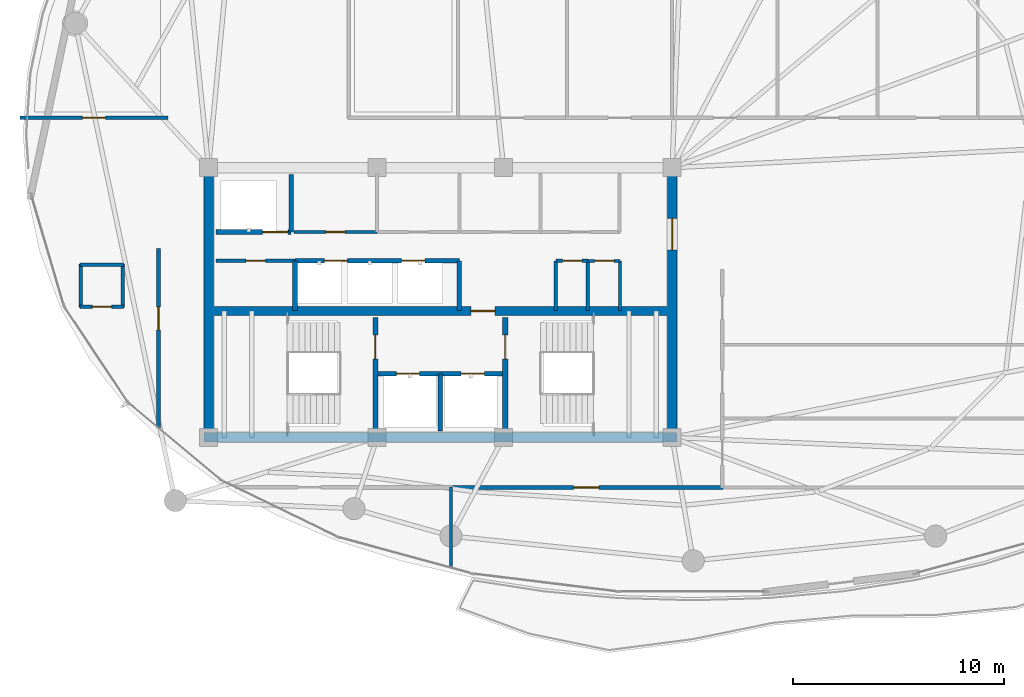
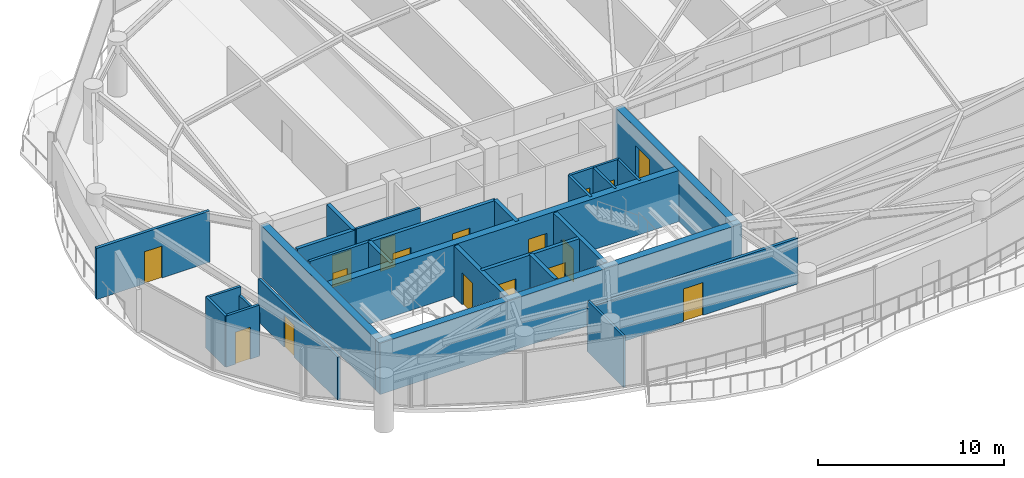
# One storey, part 23 of 28: 28 walls, 17 doors, 17 openings.
"""IFC4 building model written with IfcOpenShell, lengths in metres."""

from ifc_helpers import new_model, si_unit, direction, frame, frame_2d, origin, place, context, subcontext, project, spatial, rectangle, extrude, material, layer, layer_set, type_object, element, fill, save


model = new_model("IFC4")

# Units and contexts
model_context = context("Model", 3, precision=1e-05, world=origin(), true_north=direction((0.0, 1.0)))
body_context = subcontext(model_context, "Body", "Model", "MODEL_VIEW")
ifc_project = project(units=[si_unit("LENGTHUNIT", "METRE"), si_unit("AREAUNIT", "SQUARE_METRE"), si_unit("VOLUMEUNIT", "CUBIC_METRE"), si_unit("PLANEANGLEUNIT", "RADIAN"), si_unit("MASSUNIT", "GRAM", prefix="KILO")], contexts=[model_context])

# Site, building, storey
site_placement = place(None, origin())
site = spatial("IfcSite", under=ifc_project, at=site_placement, CompositionType="ELEMENT")
building_placement = place(site_placement, origin())
building = spatial("IfcBuilding", under=site, at=building_placement, Name="Kazevale Care Tower and Concert Hall", CompositionType="ELEMENT")
storey_placement = place(building_placement, frame((0.0, 0.0, 228.0)))
storey = spatial("IfcBuildingStorey", under=building, at=storey_placement, Name="L60", CompositionType="ELEMENT", Elevation=228.0)

# Wall, opening, door
ifc_material_1 = material(Name="Acoustic Gypsum on Steel Stud", Category="steel")
ifc_layer_1 = layer(ifc_material_1, 0.139892578125)
ifc_layer_set_1 = layer_set([ifc_layer_1], Name="Acoustic Gypsum on Steel Stud")
wall_type_1 = type_object("IfcWallType", Name="Acoustic Care & Suite Partition 140", PredefinedType="PARTITIONING", material=ifc_layer_set_1)
wall_1_placement = place(storey_placement, frame((26.050048828125, 33.35009765625, 0.0), z_axis=(0.0, 0.0, 1.0), x_axis=(1.0, 0.0, 0.0)))
wall_1 = element("IfcWall", 1, at=wall_1_placement, inside=storey, type_object=wall_type_1, Name="wall:L60:c_rpl1_s", PredefinedType="PARTITIONING", context=body_context, shape_type="SweptSolid", body=[
    extrude(rectangle(XDim=3.949951171875, YDim=0.139892578125, at=frame_2d((1.97509765625, 0.0))), origin(), (0.0, 0.0, 1.0), 3.360107421875),
])
opening_1_placement = place(wall_1_placement, frame((1.514892578125, 0.0, 0.0)))
opening_1 = element("IfcOpeningElement", 2, at=opening_1_placement, cuts=wall_1, Name="Opening ID-900", PredefinedType="OPENING", context=body_context, shape_type="SweptSolid", body=[
    extrude(rectangle(XDim=0.919921875, YDim=2.10009765625, at=frame_2d((0.4599609375, 1.050048828125))), frame((0.0, 0.079833984375, 0.0), z_axis=(0.0, -1.0, 0.0), x_axis=(1.0, 0.0, 0.0)), (0.0, 0.0, 1.0), 0.159912109375),
])
ifc_material_2 = material(Name="Oak Timber Fire Leaf", Category="wood")
door_type_1 = type_object("IfcDoorType", Name="Bathroom & Service Door 920x2100", OperationType="NOTDEFINED", PredefinedType="DOOR", material=ifc_material_2)
door_1_placement = place(opening_1_placement, origin())
door_1 = element("IfcDoor", 3, at=door_1_placement, inside=storey, type_object=door_type_1, Name="door:L60:d_rpl1", OperationType="SINGLE_SWING_LEFT", OverallHeight=2.10009765625, OverallWidth=0.919921875, PredefinedType="DOOR", context=body_context, shape_type="SweptSolid", body=[
    extrude(rectangle(XDim=0.919921875, YDim=2.10009765625, at=frame_2d((0.4599609375, 1.050048828125))), frame((0.0, 0.02490234375, 0.0), z_axis=(0.0, -1.0, 0.0), x_axis=(1.0, 0.0, 0.0)), (0.0, 0.0, 1.0), 0.050048828125),
])
fill(opening_1, door_1)

# Wall
wall_2_placement = place(storey_placement, frame((41.52001953125, 29.6201171875, 0.0), z_axis=(0.0, 0.0, 1.0), x_axis=(0.0, 1.0, 0.0)))
element("IfcWall", 4, at=wall_2_placement, inside=storey, type_object=wall_type_1, Name="wall:L60:ka_ee", PredefinedType="PARTITIONING", context=body_context, shape_type="SweptSolid", body=[
    extrude(rectangle(XDim=2.35986328125, YDim=0.139892578125, at=frame_2d((1.179931640625, 0.0))), origin(), (0.0, 0.0, 1.0), 3.360107421875),
])

# Wall, opening, door
wall_3_placement = place(storey_placement, frame((40.0, 31.97998046875, 0.0), z_axis=(0.0, 0.0, 1.0), x_axis=(1.0, 0.0, 0.0)))
wall_3 = element("IfcWall", 5, at=wall_3_placement, inside=storey, type_object=wall_type_1, Name="wall:L60:ka_en2", PredefinedType="PARTITIONING", context=body_context, shape_type="SweptSolid", body=[
    extrude(rectangle(XDim=1.52001953125, YDim=0.139892578125, at=frame_2d((0.760009765625, 0.0))), origin(), (0.0, 0.0, 1.0), 3.360107421875),
])
opening_2_placement = place(wall_3_placement, frame((0.320068359375, 0.0, 0.0)))
opening_2 = element("IfcOpeningElement", 6, at=opening_2_placement, cuts=wall_3, Name="Opening ID-900", PredefinedType="OPENING", context=body_context, shape_type="SweptSolid", body=[
    extrude(rectangle(XDim=0.919921875, YDim=2.10009765625, at=frame_2d((0.4599609375, 1.050048828125))), frame((0.0, 0.079833984375, 0.0), z_axis=(0.0, -1.0, 0.0), x_axis=(1.0, 0.0, 0.0)), (0.0, 0.0, 1.0), 0.159912109375),
])
door_2_placement = place(opening_2_placement, origin())
door_2 = element("IfcDoor", 7, at=door_2_placement, inside=storey, type_object=door_type_1, Name="door:L60:d_kae2", OperationType="SINGLE_SWING_RIGHT", OverallHeight=2.10009765625, OverallWidth=0.919921875, PredefinedType="DOOR", context=body_context, shape_type="SweptSolid", body=[
    extrude(rectangle(XDim=0.919921875, YDim=2.10009765625, at=frame_2d((0.4599609375, 1.050048828125))), frame((0.0, 0.02490234375, 0.0), z_axis=(0.0, -1.0, 0.0), x_axis=(1.0, 0.0, 0.0)), (0.0, 0.0, 1.0), 0.050048828125),
])
fill(opening_2, door_2)

# Walls
wall_4_placement = place(storey_placement, frame((33.5, 21.2548828125, 0.0), z_axis=(0.0, 0.0, 1.0), x_axis=(0.0, -1.0, 0.0)))
element("IfcWall", 8, at=wall_4_placement, inside=storey, type_object=wall_type_1, Name="wall:L60:auto_026", PredefinedType="PARTITIONING", context=body_context, shape_type="SweptSolid", body=[
    extrude(rectangle(XDim=3.8310546875, YDim=0.139892578125, at=frame_2d((1.91552734375, 0.0))), origin(), (0.0, 0.0, 1.0), 3.360107421875),
])
ifc_material_3 = material(Name="Concrete C50", Category="concrete")
ifc_layer_2 = layer(ifc_material_3, 0.449951171875)
ifc_layer_set_2 = layer_set([ifc_layer_2], Name="Concrete C50")
wall_type_2 = type_object("IfcWallType", Name="Core Shear Wall 450 C50", PredefinedType="SHEAR", material=ifc_layer_set_2)
wall_5_placement = place(storey_placement, frame((21.77490234375, 23.60009765625, 0.0), z_axis=(0.0, 0.0, 1.0), x_axis=(1.0, 0.0, 0.0)))
element("IfcWall", 9, at=wall_5_placement, inside=storey, type_object=wall_type_2, Name="wall:L60:core:S", PredefinedType="SHEAR", context=body_context, shape_type="SweptSolid", body=[
    extrude(rectangle(XDim=22.4501953125, YDim=0.449951171875, at=frame_2d((11.22509765625, 0.0))), origin(), (0.0, 0.0, 1.0), 3.360107421875),
])
wall_6_placement = place(storey_placement, frame((22.0, 23.824951171875, 0.0), z_axis=(0.0, 0.0, 1.0), x_axis=(0.0, 1.0, 0.0)))
element("IfcWall", 10, at=wall_6_placement, inside=storey, type_object=wall_type_2, Name="wall:L60:core:W", PredefinedType="SHEAR", context=body_context, shape_type="SweptSolid", body=[
    extrude(rectangle(XDim=12.35009765625, YDim=0.449951171875, at=frame_2d((6.175048828125, 0.0))), origin(), (0.0, 0.0, 1.0), 3.360107421875),
])

# Wall, opening, door
wall_7_placement = place(storey_placement, frame((44.0, 23.824951171875, 0.0), z_axis=(0.0, 0.0, 1.0), x_axis=(0.0, 1.0, 0.0)))
wall_7 = element("IfcWall", 11, at=wall_7_placement, inside=storey, type_object=wall_type_2, Name="wall:L60:core:E", PredefinedType="SHEAR", context=body_context, shape_type="SweptSolid", body=[
    extrude(rectangle(XDim=12.35009765625, YDim=0.449951171875, at=frame_2d((6.175048828125, 0.0))), origin(), (0.0, 0.0, 1.0), 3.360107421875),
])
opening_3_placement = place(wall_7_placement, frame((8.675048828125, 0.0, 0.0)))
opening_3 = element("IfcOpeningElement", 12, at=opening_3_placement, cuts=wall_7, Name="Opening FD-60D", PredefinedType="OPENING", context=body_context, shape_type="SweptSolid", body=[
    extrude(rectangle(XDim=1.5, YDim=2.14990234375, at=frame_2d((0.75, 1.074951171875))), frame((0.0, 0.23486328125, 0.0), z_axis=(0.0, -1.0, 0.0), x_axis=(1.0, 0.0, 0.0)), (0.0, 0.0, 1.0), 0.469970703125),
])
door_type_2 = type_object("IfcDoorType", Name="Double Lobby & Auditorium Fire Door 1500x2150", OperationType="NOTDEFINED", PredefinedType="DOOR", material=ifc_material_2)
door_3_placement = place(opening_3_placement, origin())
door_3 = element("IfcDoor", 13, at=door_3_placement, inside=storey, type_object=door_type_2, Name="door:L60:core_east_out", OperationType="DOUBLE_DOOR_SINGLE_SWING", OverallHeight=2.14990234375, OverallWidth=1.5, PredefinedType="DOOR", context=body_context, shape_type="SweptSolid", body=[
    extrude(rectangle(XDim=1.5, YDim=2.14990234375, at=frame_2d((0.75, 1.074951171875))), frame((0.0, 0.02490234375, 0.0), z_axis=(0.0, -1.0, 0.0), x_axis=(1.0, 0.0, 0.0)), (0.0, 0.0, 1.0), 0.050048828125),
])
fill(opening_3, door_3)

wall_8_placement = place(storey_placement, frame((22.22509765625, 29.60009765625, 0.0), z_axis=(0.0, 0.0, 1.0), x_axis=(1.0, 0.0, 0.0)))
wall_8 = element("IfcWall", 14, at=wall_8_placement, inside=storey, type_object=wall_type_2, Name="wall:L60:core:M", PredefinedType="SHEAR", context=body_context, shape_type="SweptSolid", body=[
    extrude(rectangle(XDim=21.5498046875, YDim=0.449951171875, at=frame_2d((10.77490234375, 0.0))), origin(), (0.0, 0.0, 1.0), 3.360107421875),
])
opening_4_placement = place(wall_8_placement, frame((12.22509765625, 0.0, 0.0)))
opening_4 = element("IfcOpeningElement", 15, at=opening_4_placement, cuts=wall_8, Name="Opening FD-90", PredefinedType="OPENING", context=body_context, shape_type="SweptSolid", body=[
    extrude(rectangle(XDim=1.14990234375, YDim=2.10009765625, at=frame_2d((0.574951171875, 1.050048828125))), frame((0.0, 0.23486328125, 0.0), z_axis=(0.0, -1.0, 0.0), x_axis=(1.0, 0.0, 0.0)), (0.0, 0.0, 1.0), 0.469970703125),
])
ifc_material_4 = material(Name="Steel ASTM A572 Gr 50", Category="steel")
door_type_3 = type_object("IfcDoorType", Name="Pressurized Stair & Lobby Fire Door 1150x2100", OperationType="NOTDEFINED", PredefinedType="DOOR", material=ifc_material_4)
door_4_placement = place(opening_4_placement, origin())
door_4 = element("IfcDoor", 16, at=door_4_placement, inside=storey, type_object=door_type_3, Name="door:L60:ff_to_pax", OperationType="SINGLE_SWING_LEFT", OverallHeight=2.10009765625, OverallWidth=1.14990234375, PredefinedType="DOOR", context=body_context, shape_type="SweptSolid", body=[
    extrude(rectangle(XDim=1.14990234375, YDim=2.10009765625, at=frame_2d((0.574951171875, 1.050048828125))), frame((0.0, 0.02490234375, 0.0), z_axis=(0.0, -1.0, 0.0), x_axis=(1.0, 0.0, 0.0)), (0.0, 0.0, 1.0), 0.050048828125),
])
fill(opening_4, door_4)

# Wall, openings, doors
ifc_material_5 = material(Name="Concrete C40", Category="concrete")
ifc_layer_3 = layer(ifc_material_5, 0.219970703125)
ifc_layer_set_3 = layer_set([ifc_layer_3], Name="Concrete C40")
wall_type_3 = type_object("IfcWallType", Name="Elevator Hoistway Shaft Wall 220", PredefinedType="SOLIDWALL", material=ifc_layer_set_3)
wall_9_placement = place(storey_placement, frame((29.919921875, 26.6201171875, 0.0), z_axis=(0.0, 0.0, 1.0), x_axis=(1.0, 0.0, 0.0)))
wall_9 = element("IfcWall", 17, at=wall_9_placement, inside=storey, type_object=wall_type_3, Name="wall:L60:c_ffl_n", PredefinedType="SOLIDWALL", context=body_context, shape_type="SweptSolid", body=[
    extrude(rectangle(XDim=6.16015625, YDim=0.219970703125, at=frame_2d((3.080078125, 0.0))), origin(), (0.0, 0.0, 1.0), 3.360107421875),
])
opening_5_placement = place(wall_9_placement, frame((0.989990234375, 0.0, 0.0)))
opening_5 = element("IfcOpeningElement", 18, at=opening_5_placement, cuts=wall_9, Name="Opening LD-FF", PredefinedType="OPENING", context=body_context, shape_type="SweptSolid", body=[
    extrude(rectangle(XDim=1.10009765625, YDim=2.10009765625, at=frame_2d((0.550048828125, 1.050048828125))), frame((0.0, 0.119873046875, 0.0), z_axis=(0.0, -1.0, 0.0), x_axis=(1.0, 0.0, 0.0)), (0.0, 0.0, 1.0), 0.239990234375),
])
opening_6_placement = place(wall_9_placement, frame((4.070068359375, 0.0, 0.0)))
opening_6 = element("IfcOpeningElement", 19, at=opening_6_placement, cuts=wall_9, Name="Opening LD-FF", PredefinedType="OPENING", context=body_context, shape_type="SweptSolid", body=[
    extrude(rectangle(XDim=1.10009765625, YDim=2.10009765625, at=frame_2d((0.550048828125, 1.050048828125))), frame((0.0, 0.119873046875, 0.0), z_axis=(0.0, -1.0, 0.0), x_axis=(1.0, 0.0, 0.0)), (0.0, 0.0, 1.0), 0.239990234375),
])
ifc_material_6 = material(Name="Stainless Steel 316", Category="steel")
door_type_4 = type_object("IfcDoorType", Name="Emergency Lift Sliding Landing Door 1100x2100", OperationType="NOTDEFINED", PredefinedType="DOOR", material=ifc_material_6)
door_5_placement = place(opening_5_placement, origin())
door_5 = element("IfcDoor", 20, at=door_5_placement, inside=storey, type_object=door_type_4, Name="door:L60:ld_ffl1", OperationType="SLIDING_TO_LEFT", OverallHeight=2.10009765625, OverallWidth=1.10009765625, PredefinedType="DOOR", context=body_context, shape_type="SweptSolid", body=[
    extrude(rectangle(XDim=1.10009765625, YDim=2.10009765625, at=frame_2d((0.550048828125, 1.050048828125))), frame((0.0, 0.02490234375, 0.0), z_axis=(0.0, -1.0, 0.0), x_axis=(1.0, 0.0, 0.0)), (0.0, 0.0, 1.0), 0.050048828125),
])
fill(opening_5, door_5)
door_6_placement = place(opening_6_placement, origin())
door_6 = element("IfcDoor", 21, at=door_6_placement, inside=storey, type_object=door_type_4, Name="door:L60:ld_ffl2", OperationType="SLIDING_TO_RIGHT", OverallHeight=2.10009765625, OverallWidth=1.10009765625, PredefinedType="DOOR", context=body_context, shape_type="SweptSolid", body=[
    extrude(rectangle(XDim=1.10009765625, YDim=2.10009765625, at=frame_2d((0.550048828125, 1.050048828125))), frame((0.0, 0.02490234375, 0.0), z_axis=(0.0, -1.0, 0.0), x_axis=(1.0, 0.0, 0.0)), (0.0, 0.0, 1.0), 0.050048828125),
])
fill(opening_6, door_6)

# Walls
wall_10_placement = place(storey_placement, frame((33.0, 23.89990234375, 0.0), z_axis=(0.0, 0.0, 1.0), x_axis=(0.0, 1.0, 0.0)))
element("IfcWall", 22, at=wall_10_placement, inside=storey, type_object=wall_type_3, Name="wall:L60:c_ffl_m", PredefinedType="SOLIDWALL", context=body_context, shape_type="SweptSolid", body=[
    extrude(rectangle(XDim=2.72021484375, YDim=0.219970703125, at=frame_2d((1.360107421875, 0.0))), origin(), (0.0, 0.0, 1.0), 3.360107421875),
])
wall_11_placement = place(storey_placement, frame((25.919921875, 33.35009765625, 0.0), z_axis=(0.0, 0.0, 1.0), x_axis=(0.0, 1.0, 0.0)))
element("IfcWall", 23, at=wall_11_placement, inside=storey, type_object=wall_type_3, Name="wall:L60:c_svl_e", PredefinedType="SOLIDWALL", context=body_context, shape_type="SweptSolid", body=[
    extrude(rectangle(XDim=2.72998046875, YDim=0.219970703125, at=frame_2d((1.364990234375, 0.0))), origin(), (0.0, 0.0, 1.0), 3.360107421875),
])

# Wall, opening, door
wall_12_placement = place(storey_placement, frame((22.35009765625, 33.35009765625, 0.0), z_axis=(0.0, 0.0, 1.0), x_axis=(1.0, 0.0, 0.0)))
wall_12 = element("IfcWall", 24, at=wall_12_placement, inside=storey, type_object=wall_type_3, Name="wall:L60:c_svl_s", PredefinedType="SOLIDWALL", context=body_context, shape_type="SweptSolid", body=[
    extrude(rectangle(XDim=3.56982421875, YDim=0.219970703125, at=frame_2d((1.784912109375, 0.0))), origin(), (0.0, 0.0, 1.0), 3.360107421875),
])
opening_7_placement = place(wall_12_placement, frame((2.212890625, 0.0, 0.0)))
opening_7 = element("IfcOpeningElement", 25, at=opening_7_placement, cuts=wall_12, Name="Opening LD-SV", PredefinedType="OPENING", context=body_context, shape_type="SweptSolid", body=[
    extrude(rectangle(XDim=1.199951171875, YDim=2.10009765625, at=frame_2d((0.60009765625, 1.050048828125))), frame((0.0, 0.119873046875, 0.0), z_axis=(0.0, -1.0, 0.0), x_axis=(1.0, 0.0, 0.0)), (0.0, 0.0, 1.0), 0.239990234375),
])
door_type_5 = type_object("IfcDoorType", Name="Service Lift Sliding Landing Door 1200x2100", OperationType="NOTDEFINED", PredefinedType="DOOR", material=ifc_material_6)
door_7_placement = place(opening_7_placement, origin())
door_7 = element("IfcDoor", 26, at=door_7_placement, inside=storey, type_object=door_type_5, Name="door:L60:ld_svl1", OperationType="SLIDING_TO_LEFT", OverallHeight=2.10009765625, OverallWidth=1.199951171875, PredefinedType="DOOR", context=body_context, shape_type="SweptSolid", body=[
    extrude(rectangle(XDim=1.199951171875, YDim=2.10009765625, at=frame_2d((0.60009765625, 1.050048828125))), frame((0.0, 0.02490234375, 0.0), z_axis=(0.0, -1.0, 0.0), x_axis=(1.0, 0.0, 0.0)), (0.0, 0.0, 1.0), 0.050048828125),
])
fill(opening_7, door_7)

# Wall
wall_13_placement = place(storey_placement, frame((26.10009765625, 29.6201171875, 0.0), z_axis=(0.0, 0.0, 1.0), x_axis=(0.0, 1.0, 0.0)))
element("IfcWall", 27, at=wall_13_placement, inside=storey, type_object=wall_type_3, Name="wall:L60:c_ph_w", PredefinedType="SOLIDWALL", context=body_context, shape_type="SweptSolid", body=[
    extrude(rectangle(XDim=2.35986328125, YDim=0.219970703125, at=frame_2d((1.179931640625, 0.0))), origin(), (0.0, 0.0, 1.0), 3.360107421875),
])

# Wall, openings, doors
wall_14_placement = place(storey_placement, frame((26.10009765625, 31.97998046875, 0.0), z_axis=(0.0, 0.0, 1.0), x_axis=(1.0, 0.0, 0.0)))
wall_14 = element("IfcWall", 28, at=wall_14_placement, inside=storey, type_object=wall_type_3, Name="wall:L60:c_ph_n", PredefinedType="SOLIDWALL", context=body_context, shape_type="SweptSolid", body=[
    extrude(rectangle(XDim=7.7998046875, YDim=0.219970703125, at=frame_2d((3.89990234375, 0.0))), origin(), (0.0, 0.0, 1.0), 3.360107421875),
])
opening_8_placement = place(wall_14_placement, frame((1.39990234375, 0.0, 0.0)))
opening_8 = element("IfcOpeningElement", 29, at=opening_8_placement, cuts=wall_14, Name="Opening LD-PAX", PredefinedType="OPENING", context=body_context, shape_type="SweptSolid", body=[
    extrude(rectangle(XDim=1.10009765625, YDim=2.10009765625, at=frame_2d((0.550048828125, 1.050048828125))), frame((0.0, 0.119873046875, 0.0), z_axis=(0.0, -1.0, 0.0), x_axis=(1.0, 0.0, 0.0)), (0.0, 0.0, 1.0), 0.239990234375),
])
opening_9_placement = place(wall_14_placement, frame((5.06591796875, 0.0, 0.0)))
opening_9 = element("IfcOpeningElement", 30, at=opening_9_placement, cuts=wall_14, Name="Opening LD-PAX", PredefinedType="OPENING", context=body_context, shape_type="SweptSolid", body=[
    extrude(rectangle(XDim=1.10009765625, YDim=2.10009765625, at=frame_2d((0.550048828125, 1.050048828125))), frame((0.0, 0.119873046875, 0.0), z_axis=(0.0, -1.0, 0.0), x_axis=(1.0, 0.0, 0.0)), (0.0, 0.0, 1.0), 0.239990234375),
])
door_type_6 = type_object("IfcDoorType", Name="Passenger Lift Sliding Landing Door 1100x2100", OperationType="NOTDEFINED", PredefinedType="DOOR", material=ifc_material_6)
door_8_placement = place(opening_8_placement, origin())
door_8 = element("IfcDoor", 31, at=door_8_placement, inside=storey, type_object=door_type_6, Name="door:L60:ld_ph1", OperationType="SLIDING_TO_LEFT", OverallHeight=2.10009765625, OverallWidth=1.10009765625, PredefinedType="DOOR", context=body_context, shape_type="SweptSolid", body=[
    extrude(rectangle(XDim=1.10009765625, YDim=2.10009765625, at=frame_2d((0.550048828125, 1.050048828125))), frame((0.0, 0.02490234375, 0.0), z_axis=(0.0, -1.0, 0.0), x_axis=(1.0, 0.0, 0.0)), (0.0, 0.0, 1.0), 0.050048828125),
])
fill(opening_8, door_8)
door_9_placement = place(opening_9_placement, origin())
door_9 = element("IfcDoor", 32, at=door_9_placement, inside=storey, type_object=door_type_6, Name="door:L60:ld_ph2", OperationType="SLIDING_TO_RIGHT", OverallHeight=2.10009765625, OverallWidth=1.10009765625, PredefinedType="DOOR", context=body_context, shape_type="SweptSolid", body=[
    extrude(rectangle(XDim=1.10009765625, YDim=2.10009765625, at=frame_2d((0.550048828125, 1.050048828125))), frame((0.0, 0.02490234375, 0.0), z_axis=(0.0, -1.0, 0.0), x_axis=(1.0, 0.0, 0.0)), (0.0, 0.0, 1.0), 0.050048828125),
])
fill(opening_9, door_9)

# Wall
wall_15_placement = place(storey_placement, frame((33.89990234375, 29.6201171875, 0.0), z_axis=(0.0, 0.0, 1.0), x_axis=(0.0, 1.0, 0.0)))
element("IfcWall", 33, at=wall_15_placement, inside=storey, type_object=wall_type_3, Name="wall:L60:c_ph_e", PredefinedType="SOLIDWALL", context=body_context, shape_type="SweptSolid", body=[
    extrude(rectangle(XDim=2.35986328125, YDim=0.219970703125, at=frame_2d((1.179931640625, 0.0))), origin(), (0.0, 0.0, 1.0), 3.360107421875),
])

# Wall, opening, door
ifc_material_7 = material(Name="Concrete C40 and Acoustic Gypsum", Category="concrete")
ifc_layer_4 = layer(ifc_material_7, 0.179931640625)
ifc_layer_set_4 = layer_set([ifc_layer_4], Name="Concrete C40 and Acoustic Gypsum")
wall_type_4 = type_object("IfcWallType", Name="Fire-Rated Corridor & Party Wall 180", PredefinedType="PARTITIONING", material=ifc_layer_set_4)
wall_16_placement = place(storey_placement, frame((22.35009765625, 31.97998046875, 0.0), z_axis=(0.0, 0.0, 1.0), x_axis=(1.0, 0.0, 0.0)))
wall_16 = element("IfcWall", 34, at=wall_16_placement, inside=storey, type_object=wall_type_4, Name="wall:L60:ka_wn1", PredefinedType="PARTITIONING", context=body_context, shape_type="SweptSolid", body=[
    extrude(rectangle(XDim=3.75, YDim=0.179931640625, at=frame_2d((1.875, 0.0))), origin(), (0.0, 0.0, 1.0), 3.360107421875),
])
opening_10_placement = place(wall_16_placement, frame((1.425048828125, 0.0, 0.0)))
opening_10 = element("IfcOpeningElement", 35, at=opening_10_placement, cuts=wall_16, Name="Opening ID-900", PredefinedType="OPENING", context=body_context, shape_type="SweptSolid", body=[
    extrude(rectangle(XDim=0.919921875, YDim=2.10009765625, at=frame_2d((0.4599609375, 1.050048828125))), frame((0.0, 0.099853515625, 0.0), z_axis=(0.0, -1.0, 0.0), x_axis=(1.0, 0.0, 0.0)), (0.0, 0.0, 1.0), 0.199951171875),
])
door_10_placement = place(opening_10_placement, origin())
door_10 = element("IfcDoor", 36, at=door_10_placement, inside=storey, type_object=door_type_1, Name="door:L60:d_kaw", OperationType="SINGLE_SWING_LEFT", OverallHeight=2.10009765625, OverallWidth=0.919921875, PredefinedType="DOOR", context=body_context, shape_type="SweptSolid", body=[
    extrude(rectangle(XDim=0.919921875, YDim=2.10009765625, at=frame_2d((0.4599609375, 1.050048828125))), frame((0.0, 0.02490234375, 0.0), z_axis=(0.0, -1.0, 0.0), x_axis=(1.0, 0.0, 0.0)), (0.0, 0.0, 1.0), 0.050048828125),
])
fill(opening_10, door_10)

wall_17_placement = place(storey_placement, frame((13.053955078125, 38.77490234375, 0.0), z_axis=(0.0, 0.0, 1.0), x_axis=(1.0, 0.0, 0.0)))
wall_17 = element("IfcWall", 37, at=wall_17_placement, inside=storey, type_object=wall_type_4, Name="wall:L60:auto_001", PredefinedType="PARTITIONING", context=body_context, shape_type="SweptSolid", body=[
    extrude(rectangle(XDim=7.010986328125, YDim=0.179931640625, at=frame_2d((3.50537109375, 0.0))), origin(), (0.0, 0.0, 1.0), 3.360107421875),
])
opening_11_placement = place(wall_17_placement, frame((2.955078125, 0.0, 0.0)))
opening_11 = element("IfcOpeningElement", 38, at=opening_11_placement, cuts=wall_17, Name="Opening ID-1100", PredefinedType="OPENING", context=body_context, shape_type="SweptSolid", body=[
    extrude(rectangle(XDim=1.10009765625, YDim=2.10009765625, at=frame_2d((0.550048828125, 1.050048828125))), frame((0.0, 0.099853515625, 0.0), z_axis=(0.0, -1.0, 0.0), x_axis=(1.0, 0.0, 0.0)), (0.0, 0.0, 1.0), 0.199951171875),
])
door_type_7 = type_object("IfcDoorType", Name="Care Bedroom Accessible Door 1100x2100", OperationType="NOTDEFINED", PredefinedType="DOOR", material=ifc_material_2)
door_11_placement = place(opening_11_placement, origin())
door_11 = element("IfcDoor", 39, at=door_11_placement, inside=storey, type_object=door_type_7, Name="door:L60:ad_001", OperationType="SINGLE_SWING_LEFT", OverallHeight=2.10009765625, OverallWidth=1.10009765625, PredefinedType="DOOR", context=body_context, shape_type="SweptSolid", body=[
    extrude(rectangle(XDim=1.10009765625, YDim=2.10009765625, at=frame_2d((0.550048828125, 1.050048828125))), frame((0.0, 0.02490234375, 0.0), z_axis=(0.0, -1.0, 0.0), x_axis=(1.0, 0.0, 0.0)), (0.0, 0.0, 1.0), 0.050048828125),
])
fill(opening_11, door_11)

wall_18_placement = place(storey_placement, frame((46.405029296875, 21.22509765625, 0.0), z_axis=(0.0, 0.0, 1.0), x_axis=(-1.0, 0.0, 0.0)))
wall_18 = element("IfcWall", 40, at=wall_18_placement, inside=storey, type_object=wall_type_4, Name="wall:L60:auto_014", PredefinedType="PARTITIONING", context=body_context, shape_type="SweptSolid", body=[
    extrude(rectangle(XDim=12.969970703125, YDim=0.179931640625, at=frame_2d((6.48486328125, 0.0))), origin(), (0.0, 0.0, 1.0), 2.99609375),
])
opening_12_placement = place(wall_18_placement, frame((5.885009765625, 0.0, 0.0)))
opening_12 = element("IfcOpeningElement", 41, at=opening_12_placement, cuts=wall_18, Name="Opening ID-1200", PredefinedType="OPENING", context=body_context, shape_type="SweptSolid", body=[
    extrude(rectangle(XDim=1.199951171875, YDim=2.14990234375, at=frame_2d((0.60009765625, 1.074951171875))), frame((0.0, 0.099853515625, 0.0), z_axis=(0.0, -1.0, 0.0), x_axis=(1.0, 0.0, 0.0)), (0.0, 0.0, 1.0), 0.199951171875),
])
door_type_8 = type_object("IfcDoorType", Name="Clinical & Therapy Door 1200x2150", OperationType="NOTDEFINED", PredefinedType="DOOR", material=ifc_material_2)
door_12_placement = place(opening_12_placement, origin())
door_12 = element("IfcDoor", 42, at=door_12_placement, inside=storey, type_object=door_type_8, Name="door:L60:ad_014", OperationType="SINGLE_SWING_LEFT", OverallHeight=2.14990234375, OverallWidth=1.199951171875, PredefinedType="DOOR", context=body_context, shape_type="SweptSolid", body=[
    extrude(rectangle(XDim=1.199951171875, YDim=2.14990234375, at=frame_2d((0.60009765625, 1.074951171875))), frame((0.0, 0.02490234375, 0.0), z_axis=(0.0, -1.0, 0.0), x_axis=(1.0, 0.0, 0.0)), (0.0, 0.0, 1.0), 0.050048828125),
])
fill(opening_12, door_12)

wall_19_placement = place(storey_placement, frame((19.625, 24.059814453125, 0.0), z_axis=(0.0, 0.0, 1.0), x_axis=(0.0, 1.0, 0.0)))
wall_19 = element("IfcWall", 43, at=wall_19_placement, inside=storey, type_object=wall_type_4, Name="wall:L60:auto_015", PredefinedType="PARTITIONING", context=body_context, shape_type="SweptSolid", body=[
    extrude(rectangle(XDim=8.505126953125, YDim=0.179931640625, at=frame_2d((4.25244140625, 0.0))), origin(), (0.0, 0.0, 1.0), 2.81689453125),
])
opening_13_placement = place(wall_19_placement, frame((4.639892578125, 0.0, 0.0)))
opening_13 = element("IfcOpeningElement", 44, at=opening_13_placement, cuts=wall_19, Name="Opening ID-1100", PredefinedType="OPENING", context=body_context, shape_type="SweptSolid", body=[
    extrude(rectangle(XDim=1.10009765625, YDim=2.10009765625, at=frame_2d((0.550048828125, 1.050048828125))), frame((0.0, 0.099853515625, 0.0), z_axis=(0.0, -1.0, 0.0), x_axis=(1.0, 0.0, 0.0)), (0.0, 0.0, 1.0), 0.199951171875),
])
door_13_placement = place(opening_13_placement, origin())
door_13 = element("IfcDoor", 45, at=door_13_placement, inside=storey, type_object=door_type_7, Name="door:L60:ad_015", OperationType="SINGLE_SWING_LEFT", OverallHeight=2.10009765625, OverallWidth=1.10009765625, PredefinedType="DOOR", context=body_context, shape_type="SweptSolid", body=[
    extrude(rectangle(XDim=1.10009765625, YDim=2.10009765625, at=frame_2d((0.550048828125, 1.050048828125))), frame((0.0, 0.02490234375, 0.0), z_axis=(0.0, -1.0, 0.0), x_axis=(1.0, 0.0, 0.0)), (0.0, 0.0, 1.0), 0.050048828125),
])
fill(opening_13, door_13)

# Walls
ifc_layer_5 = layer(ifc_material_1, 0.159912109375)
ifc_layer_set_5 = layer_set([ifc_layer_5], Name="Acoustic Gypsum on Steel Stud")
wall_type_5 = type_object("IfcWallType", Name="Moisture-Resistant Bathroom Plumbing Wall 160", PredefinedType="PLUMBINGWALL", material=ifc_layer_set_5)
for number, where, z_axis, x_axis, name in (
    (46, (38.47998046875, 29.6201171875, 0.0), (0.0, 0.0, 1.0), (0.0, 1.0, 0.0), "wall:L60:ka_ew"),
    (47, (40.0, 29.6201171875, 0.0), (0.0, 0.0, 1.0), (0.0, 1.0, 0.0), "wall:L60:ka_em"),
):
    element("IfcWall", number, at=place(storey_placement, frame(where, z_axis=z_axis, x_axis=x_axis)), inside=storey, type_object=wall_type_5, Name=name, PredefinedType="PLUMBINGWALL", context=body_context, shape_type="SweptSolid", body=[
        extrude(rectangle(XDim=2.35986328125, YDim=0.159912109375, at=frame_2d((1.179931640625, 0.0))), origin(), (0.0, 0.0, 1.0), 3.360107421875),
    ])

# Wall, opening, door
wall_20_placement = place(storey_placement, frame((38.47998046875, 31.97998046875, 0.0), z_axis=(0.0, 0.0, 1.0), x_axis=(1.0, 0.0, 0.0)))
wall_20 = element("IfcWall", 48, at=wall_20_placement, inside=storey, type_object=wall_type_5, Name="wall:L60:ka_en1", PredefinedType="PLUMBINGWALL", context=body_context, shape_type="SweptSolid", body=[
    extrude(rectangle(XDim=1.52001953125, YDim=0.159912109375, at=frame_2d((0.760009765625, 0.0))), origin(), (0.0, 0.0, 1.0), 3.360107421875),
])
opening_14_placement = place(wall_20_placement, frame((0.320068359375, 0.0, 0.0)))
opening_14 = element("IfcOpeningElement", 49, at=opening_14_placement, cuts=wall_20, Name="Opening ID-900", PredefinedType="OPENING", context=body_context, shape_type="SweptSolid", body=[
    extrude(rectangle(XDim=0.919921875, YDim=2.10009765625, at=frame_2d((0.4599609375, 1.050048828125))), frame((0.0, 0.08984375, 0.0), z_axis=(0.0, -1.0, 0.0), x_axis=(1.0, 0.0, 0.0)), (0.0, 0.0, 1.0), 0.179931640625),
])
door_14_placement = place(opening_14_placement, origin())
door_14 = element("IfcDoor", 50, at=door_14_placement, inside=storey, type_object=door_type_1, Name="door:L60:d_kae1", OperationType="SINGLE_SWING_LEFT", OverallHeight=2.10009765625, OverallWidth=0.919921875, PredefinedType="DOOR", context=body_context, shape_type="SweptSolid", body=[
    extrude(rectangle(XDim=0.919921875, YDim=2.10009765625, at=frame_2d((0.4599609375, 1.050048828125))), frame((0.0, 0.02490234375, 0.0), z_axis=(0.0, -1.0, 0.0), x_axis=(1.0, 0.0, 0.0)), (0.0, 0.0, 1.0), 0.050048828125),
])
fill(opening_14, door_14)

wall_21_placement = place(storey_placement, frame((15.89306640625, 29.800048828125, 0.0), z_axis=(0.0, 0.0, 1.0), x_axis=(1.0, 0.0, 0.0)))
wall_21 = element("IfcWall", 51, at=wall_21_placement, inside=storey, type_object=wall_type_5, Name="wall:L60:wb2_ens_ws", PredefinedType="PLUMBINGWALL", context=body_context, shape_type="SweptSolid", body=[
    extrude(rectangle(XDim=2.079833984375, YDim=0.159912109375, at=frame_2d((1.0400390625, 0.0))), origin(), (0.0, 0.0, 1.0), 3.360107421875),
])
opening_15_placement = place(wall_21_placement, frame((0.590087890625, 0.0, 0.0)))
opening_15 = element("IfcOpeningElement", 52, at=opening_15_placement, cuts=wall_21, Name="Opening ID-900", PredefinedType="OPENING", context=body_context, shape_type="SweptSolid", body=[
    extrude(rectangle(XDim=0.919921875, YDim=2.10009765625, at=frame_2d((0.4599609375, 1.050048828125))), frame((0.0, 0.08984375, 0.0), z_axis=(0.0, -1.0, 0.0), x_axis=(1.0, 0.0, 0.0)), (0.0, 0.0, 1.0), 0.179931640625),
])
door_15_placement = place(opening_15_placement, origin())
door_15 = element("IfcDoor", 53, at=door_15_placement, inside=storey, type_object=door_type_1, Name="door:L60:wb2_ens_d", OperationType="SINGLE_SWING_RIGHT", OverallHeight=2.10009765625, OverallWidth=0.919921875, PredefinedType="DOOR", context=body_context, shape_type="SweptSolid", body=[
    extrude(rectangle(XDim=0.919921875, YDim=2.10009765625, at=frame_2d((0.4599609375, 1.050048828125))), frame((0.0, 0.02490234375, 0.0), z_axis=(0.0, -1.0, 0.0), x_axis=(1.0, 0.0, 0.0)), (0.0, 0.0, 1.0), 0.050048828125),
])
fill(opening_15, door_15)

# Walls
wall_22_placement = place(storey_placement, frame((15.89306640625, 31.800048828125, 0.0), z_axis=(0.0, 0.0, 1.0), x_axis=(1.0, 0.0, 0.0)))
element("IfcWall", 54, at=wall_22_placement, inside=storey, type_object=wall_type_5, Name="wall:L60:wb2_ens_wn", PredefinedType="PLUMBINGWALL", context=body_context, shape_type="SweptSolid", body=[
    extrude(rectangle(XDim=2.079833984375, YDim=0.159912109375, at=frame_2d((1.0400390625, 0.0))), origin(), (0.0, 0.0, 1.0), 3.360107421875),
])
wall_23_placement = place(storey_placement, frame((15.93310546875, 29.760009765625, 0.0), z_axis=(0.0, 0.0, 1.0), x_axis=(0.0, 1.0, 0.0)))
element("IfcWall", 55, at=wall_23_placement, inside=storey, type_object=wall_type_5, Name="wall:L60:wb2_ens_ww", PredefinedType="PLUMBINGWALL", context=body_context, shape_type="SweptSolid", body=[
    extrude(rectangle(XDim=2.080078125, YDim=0.159912109375, at=frame_2d((1.0400390625, 0.0))), origin(), (0.0, 0.0, 1.0), 3.360107421875),
])
wall_24_placement = place(storey_placement, frame((17.93310546875, 29.760009765625, 0.0), z_axis=(0.0, 0.0, 1.0), x_axis=(0.0, 1.0, 0.0)))
element("IfcWall", 56, at=wall_24_placement, inside=storey, type_object=wall_type_5, Name="wall:L60:wb2_ens_we", PredefinedType="PLUMBINGWALL", context=body_context, shape_type="SweptSolid", body=[
    extrude(rectangle(XDim=2.080078125, YDim=0.159912109375, at=frame_2d((1.0400390625, 0.0))), origin(), (0.0, 0.0, 1.0), 2.81689453125),
])

# Wall, opening, door
ifc_layer_6 = layer(ifc_material_5, 0.25)
ifc_layer_set_6 = layer_set([ifc_layer_6], Name="Concrete C40")
wall_type_6 = type_object("IfcWallType", Name="Pressurized Stair Shaft Wall 250", PredefinedType="SOLIDWALL", material=ifc_layer_set_6)
wall_25_placement = place(storey_placement, frame((29.919921875, 23.89990234375, 0.0), z_axis=(0.0, 0.0, 1.0), x_axis=(0.0, 1.0, 0.0)))
wall_25 = element("IfcWall", 57, at=wall_25_placement, inside=storey, type_object=wall_type_6, Name="wall:L60:c_st1_e", PredefinedType="SOLIDWALL", context=body_context, shape_type="SweptSolid", body=[
    extrude(rectangle(XDim=5.400146484375, YDim=0.25, at=frame_2d((2.7001953125, 0.0))), origin(), (0.0, 0.0, 1.0), 3.360107421875),
])
opening_16_placement = place(wall_25_placement, frame((3.4208984375, 0.0, 0.0)))
opening_16 = element("IfcOpeningElement", 58, at=opening_16_placement, cuts=wall_25, Name="Opening FD-90", PredefinedType="OPENING", context=body_context, shape_type="SweptSolid", body=[
    extrude(rectangle(XDim=1.14990234375, YDim=2.10009765625, at=frame_2d((0.574951171875, 1.050048828125))), frame((0.0, 0.135009765625, 0.0), z_axis=(0.0, -1.0, 0.0), x_axis=(1.0, 0.0, 0.0)), (0.0, 0.0, 1.0), 0.27001953125),
])
door_16_placement = place(opening_16_placement, origin())
door_16 = element("IfcDoor", 59, at=door_16_placement, inside=storey, type_object=door_type_3, Name="door:L60:st1", OperationType="SINGLE_SWING_RIGHT", OverallHeight=2.10009765625, OverallWidth=1.14990234375, PredefinedType="DOOR", context=body_context, shape_type="SweptSolid", body=[
    extrude(rectangle(XDim=1.14990234375, YDim=2.10009765625, at=frame_2d((0.574951171875, 1.050048828125))), frame((0.0, 0.02490234375, 0.0), z_axis=(0.0, -1.0, 0.0), x_axis=(1.0, 0.0, 0.0)), (0.0, 0.0, 1.0), 0.050048828125),
])
fill(opening_16, door_16)

wall_26_placement = place(storey_placement, frame((36.080078125, 23.89990234375, 0.0), z_axis=(0.0, 0.0, 1.0), x_axis=(0.0, 1.0, 0.0)))
wall_26 = element("IfcWall", 60, at=wall_26_placement, inside=storey, type_object=wall_type_6, Name="wall:L60:c_st2_w", PredefinedType="SOLIDWALL", context=body_context, shape_type="SweptSolid", body=[
    extrude(rectangle(XDim=5.400146484375, YDim=0.25, at=frame_2d((2.7001953125, 0.0))), origin(), (0.0, 0.0, 1.0), 3.360107421875),
])
opening_17_placement = place(wall_26_placement, frame((3.4208984375, 0.0, 0.0)))
opening_17 = element("IfcOpeningElement", 61, at=opening_17_placement, cuts=wall_26, Name="Opening FD-90", PredefinedType="OPENING", context=body_context, shape_type="SweptSolid", body=[
    extrude(rectangle(XDim=1.14990234375, YDim=2.10009765625, at=frame_2d((0.574951171875, 1.050048828125))), frame((0.0, 0.135009765625, 0.0), z_axis=(0.0, -1.0, 0.0), x_axis=(1.0, 0.0, 0.0)), (0.0, 0.0, 1.0), 0.27001953125),
])
door_17_placement = place(opening_17_placement, origin())
door_17 = element("IfcDoor", 62, at=door_17_placement, inside=storey, type_object=door_type_3, Name="door:L60:st2", OperationType="SINGLE_SWING_LEFT", OverallHeight=2.10009765625, OverallWidth=1.14990234375, PredefinedType="DOOR", context=body_context, shape_type="SweptSolid", body=[
    extrude(rectangle(XDim=1.14990234375, YDim=2.10009765625, at=frame_2d((0.574951171875, 1.050048828125))), frame((0.0, 0.02490234375, 0.0), z_axis=(0.0, -1.0, 0.0), x_axis=(1.0, 0.0, 0.0)), (0.0, 0.0, 1.0), 0.050048828125),
])
fill(opening_17, door_17)

save(model, "model.ifc")
